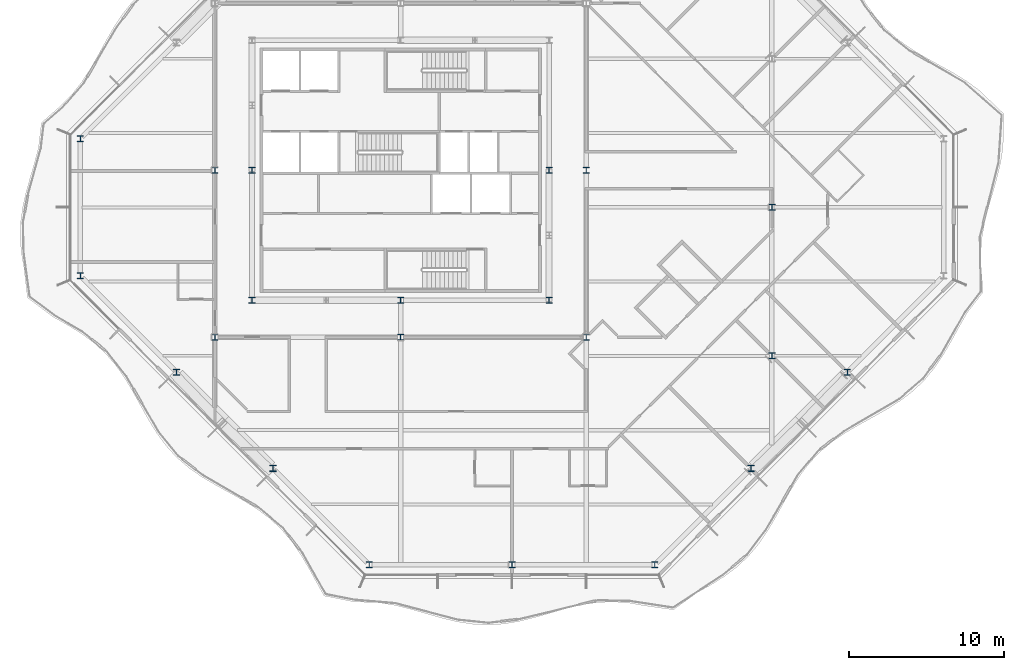
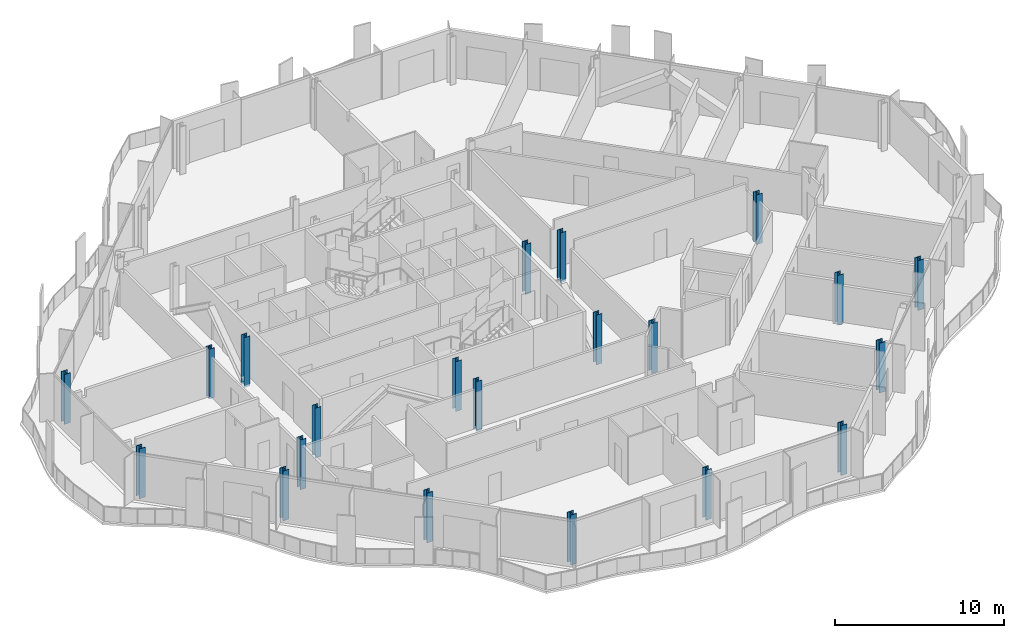
# One storey, part 1 of 17: 21 columns.
"""IFC4 building model written with IfcOpenShell, lengths in metres."""

from ifc_helpers import new_model, si_unit, direction, frame, origin, origin_2d, place, context, subcontext, project, spatial, i_section, extrude, material, material_profile, profile_set, type_object, element, save


model = new_model("IFC4")

# Units and contexts
model_context = context("Model", 3, precision=1e-05, world=origin(), true_north=direction((0.0, 1.0)))
body_context = subcontext(model_context, "Body", "Model", "MODEL_VIEW")
ifc_project = project(units=[si_unit("LENGTHUNIT", "METRE"), si_unit("AREAUNIT", "SQUARE_METRE"), si_unit("VOLUMEUNIT", "CUBIC_METRE"), si_unit("PLANEANGLEUNIT", "RADIAN"), si_unit("MASSUNIT", "GRAM", prefix="KILO")], contexts=[model_context])

# Site, building, storey
site_placement = place(None, origin())
site = spatial("IfcSite", under=ifc_project, at=site_placement, CompositionType="ELEMENT")
building_placement = place(site_placement, origin())
building = spatial("IfcBuilding", under=site, at=building_placement, Name="Cairn Pilgrim Tower", CompositionType="ELEMENT")
storey_placement = place(building_placement, frame((0.0, 0.0, 243.0)))
storey = spatial("IfcBuildingStorey", under=building, at=storey_placement, Name="L62", CompositionType="ELEMENT", Elevation=243.0)

# Columns
ifc_material_1 = material(Name="Structural steel S355J2", Category="steel")
ifc_material_profile_1 = material_profile(ifc_material_1, i_section(OverallWidth=0.39404296875, OverallDepth=0.375, WebThickness=0.017333984375, FlangeThickness=0.027587890625, FilletRadius=0.014892578125, at=origin_2d()), Name="HD 400x216")
ifc_profile_set_1 = profile_set([ifc_material_profile_1], Name="Structural steel S355J2")
column_type_1 = type_object("IfcColumnType", Name="HD 400x216", PredefinedType="COLUMN", material=ifc_profile_set_1)
for number, where, z_axis, x_axis, name in (
    (1, (-4.800048828125, -8.39990234375, -0.14990234375), (0.0, 0.0, 1.0), (1.0, 0.0, 0.0), "IC-1"),
    (2, (7.199951171875, -8.39990234375, -0.14990234375), (0.0, 0.0, 1.0), (1.0, 0.0, 0.0), "IC-2"),
    (3, (19.199951171875, -8.39990234375, -0.14990234375), (0.0, 0.0, 1.0), (1.0, 0.0, 0.0), "IC-3"),
    (4, (-4.800048828125, 2.39990234375, -0.14990234375), (0.0, 0.0, 1.0), (1.0, 0.0, 0.0), "IC-4"),
    (5, (19.199951171875, 2.39990234375, -0.14990234375), (0.0, 0.0, 1.0), (1.0, 0.0, 0.0), "IC-5"),
):
    element("IfcColumn", number, at=place(storey_placement, frame(where, z_axis=z_axis, x_axis=x_axis)), inside=storey, type_object=column_type_1, Name=name, PredefinedType="COLUMN", context=body_context, shape_type="SweptSolid", body=[
        extrude(i_section(OverallWidth=0.39404296875, OverallDepth=0.375, WebThickness=0.017333984375, FlangeThickness=0.027587890625, FilletRadius=0.014892578125, at=origin_2d()), origin(), (0.0, 0.0, 1.0), 3.599853515625),
    ])
ifc_material_profile_2 = material_profile(ifc_material_1, i_section(OverallWidth=0.39794921875, OverallDepth=0.386962890625, WebThickness=0.02099609375, FlangeThickness=0.033203125, FilletRadius=0.014892578125, at=origin_2d()), Name="HD 400x262")
ifc_profile_set_2 = profile_set([ifc_material_profile_2], Name="Structural steel S355J2")
column_type_2 = type_object("IfcColumnType", Name="HD 400x262", PredefinedType="COLUMN", material=ifc_profile_set_2)
for number, where, z_axis, x_axis, name in (
    (6, (-2.39990234375, -6.0, -0.14990234375), (0.0, 0.0, 1.0), (1.0, 0.0, 0.0), "KC-1"),
    (7, (7.199951171875, -6.0, -0.14990234375), (0.0, 0.0, 1.0), (1.0, 0.0, 0.0), "KC-2"),
    (8, (16.800048828125, -6.0, -0.14990234375), (0.0, 0.0, 1.0), (1.0, 0.0, 0.0), "KC-3"),
    (9, (-2.39990234375, 2.39990234375, -0.14990234375), (0.0, 0.0, 1.0), (1.0, 0.0, 0.0), "KC-4"),
    (10, (16.800048828125, 2.39990234375, -0.14990234375), (0.0, 0.0, 1.0), (1.0, 0.0, 0.0), "KC-5"),
):
    element("IfcColumn", number, at=place(storey_placement, frame(where, z_axis=z_axis, x_axis=x_axis)), inside=storey, type_object=column_type_2, Name=name, PredefinedType="COLUMN", context=body_context, shape_type="SweptSolid", body=[
        extrude(i_section(OverallWidth=0.39794921875, OverallDepth=0.386962890625, WebThickness=0.02099609375, FlangeThickness=0.033203125, FilletRadius=0.014892578125, at=origin_2d()), origin(), (0.0, 0.0, 1.0), 3.599853515625),
    ])
ifc_material_profile_3 = material_profile(ifc_material_1, i_section(OverallWidth=0.39892578125, OverallDepth=0.39306640625, WebThickness=0.022705078125, FlangeThickness=0.03662109375, FilletRadius=0.014892578125, at=origin_2d()), Name="HD 400x287")
ifc_profile_set_3 = profile_set([ifc_material_profile_3], Name="Structural steel S355J2")
column_type_3 = type_object("IfcColumnType", Name="HD 400x287", PredefinedType="COLUMN", material=ifc_profile_set_3)
for number, where, z_axis, x_axis, name in (
    (11, (31.199951171875, -9.60009765625, -0.14990234375), (0.0, 0.0, 1.0), (1.0, 0.0, 0.0), "WC-WE-2"),
    (12, (31.199951171875, 0.0, -0.14990234375), (0.0, 0.0, 1.0), (1.0, 0.0, 0.0), "WC-WE+0"),
):
    element("IfcColumn", number, at=place(storey_placement, frame(where, z_axis=z_axis, x_axis=x_axis)), inside=storey, type_object=column_type_3, Name=name, PredefinedType="COLUMN", context=body_context, shape_type="SweptSolid", body=[
        extrude(i_section(OverallWidth=0.39892578125, OverallDepth=0.39306640625, WebThickness=0.022705078125, FlangeThickness=0.03662109375, FilletRadius=0.014892578125, at=origin_2d()), origin(), (0.0, 0.0, 1.0), 3.599853515625),
    ])
ifc_material_2 = material(Name="Structural steel S460M", Category="steel")
ifc_material_profile_4 = material_profile(ifc_material_2, i_section(OverallWidth=0.404052734375, OverallDepth=0.406982421875, WebThickness=0.027099609375, FlangeThickness=0.043701171875, FilletRadius=0.014892578125, at=origin_2d()), Name="HD 400x347")
ifc_profile_set_4 = profile_set([ifc_material_profile_4], Name="Structural steel S460M")
column_type_4 = type_object("IfcColumnType", Name="HD 400x347", PredefinedType="COLUMN", material=ifc_profile_set_4)
for number, where, z_axis, x_axis, name in (
    (13, (5.1728515625, -23.10009765625, -0.14990234375), (0.0, 0.0, 1.0), (1.0, 0.0, 0.0), "PC3-S1"),
    (14, (14.39990234375, -23.10009765625, -0.14990234375), (0.0, 0.0, 1.0), (1.0, 0.0, 0.0), "PC3-S2"),
    (15, (23.627197265625, -23.10009765625, -0.14990234375), (0.0, 0.0, 1.0), (1.0, 0.0, 0.0), "PC3-SE1"),
    (16, (29.8515625, -16.875732421875, -0.14990234375), (0.0, 0.0, 1.0), (1.0, 0.0, 0.0), "PC3-SE2"),
    (17, (36.07568359375, -10.651611328125, -0.14990234375), (0.0, 0.0, 1.0), (1.0, 0.0, 0.0), "PC3-SE3"),
    (18, (-13.5, 4.42724609375, -0.14990234375), (0.0, 0.0, 1.0), (1.0, 0.0, 0.0), "PC3-W1"),
    (19, (-13.5, -4.42724609375, -0.14990234375), (0.0, 0.0, 1.0), (1.0, 0.0, 0.0), "PC3-SW1"),
    (20, (-7.275634765625, -10.651611328125, -0.14990234375), (0.0, 0.0, 1.0), (1.0, 0.0, 0.0), "PC3-SW2"),
    (21, (-1.051513671875, -16.875732421875, -0.14990234375), (0.0, 0.0, 1.0), (1.0, 0.0, 0.0), "PC3-SW3"),
):
    element("IfcColumn", number, at=place(storey_placement, frame(where, z_axis=z_axis, x_axis=x_axis)), inside=storey, type_object=column_type_4, Name=name, PredefinedType="COLUMN", context=body_context, shape_type="SweptSolid", body=[
        extrude(i_section(OverallWidth=0.404052734375, OverallDepth=0.406982421875, WebThickness=0.027099609375, FlangeThickness=0.043701171875, FilletRadius=0.014892578125, at=origin_2d()), origin(), (0.0, 0.0, 1.0), 3.599853515625),
    ])

save(model, "model.ifc")
